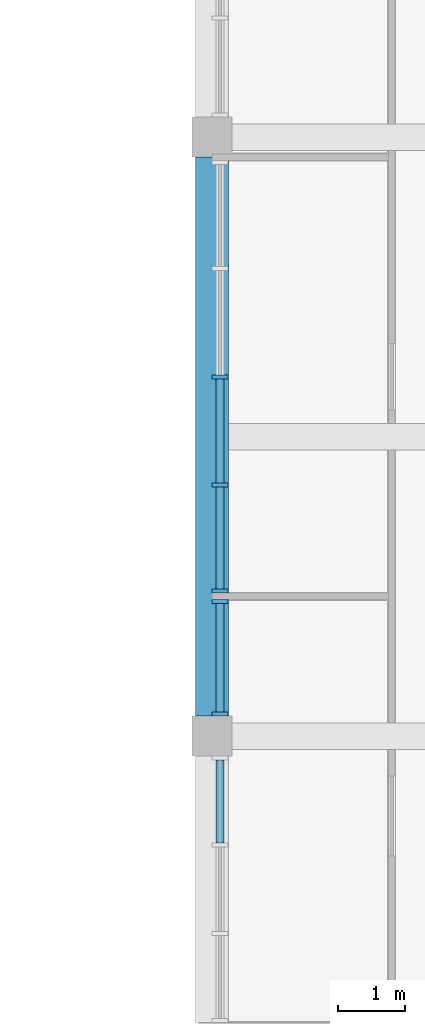
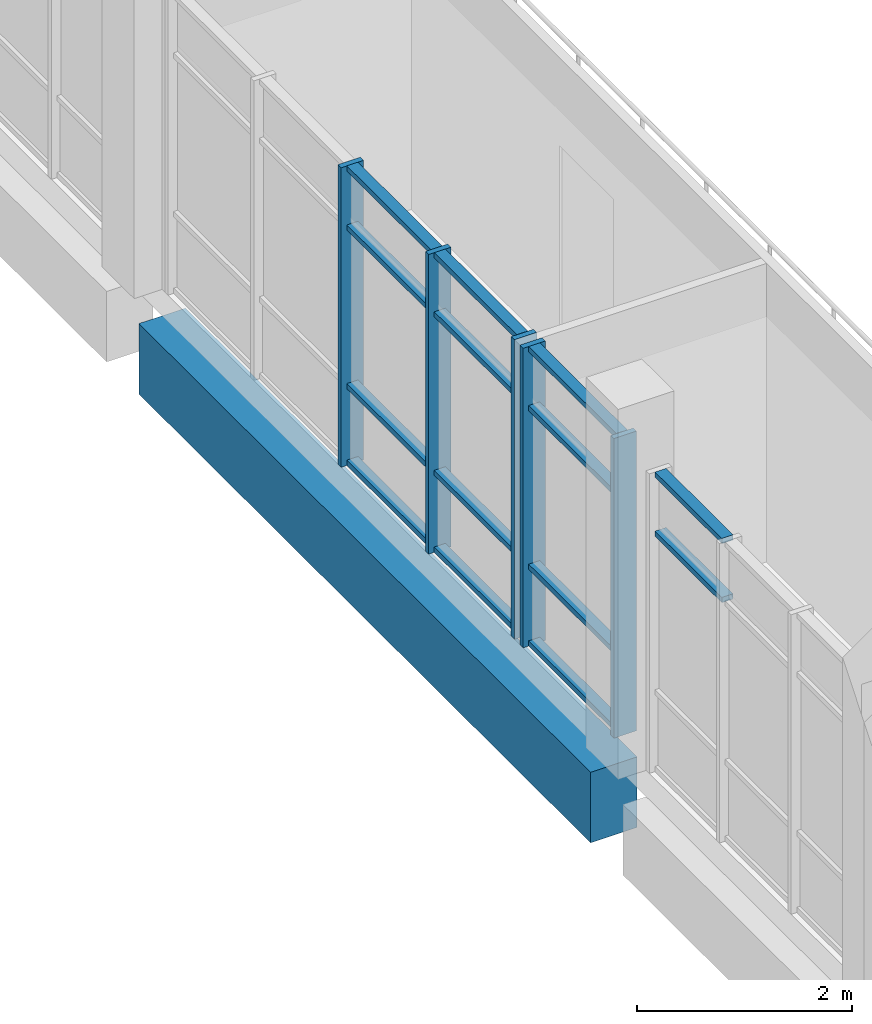
# One storey, part 5 of 88: 19 members, 1 beam, 3 elements without a shape of their own.
"""IFC4 building model written with IfcOpenShell, lengths in metres."""

from ifc_helpers import new_model, si_unit, direction, frame, origin, origin_2d, place, context, subcontext, project, spatial, rectangle, extrude, material, material_profile, profile_set, type_object, element, aggregate, save


model = new_model("IFC4")

# Units and contexts
model_context = context("Model", 3, precision=1e-05, world=origin(), true_north=direction((0.0, 1.0)))
body_context = subcontext(model_context, "Body", "Model", "MODEL_VIEW")
ifc_project = project(units=[si_unit("LENGTHUNIT", "METRE"), si_unit("AREAUNIT", "SQUARE_METRE"), si_unit("VOLUMEUNIT", "CUBIC_METRE"), si_unit("PLANEANGLEUNIT", "RADIAN"), si_unit("MASSUNIT", "GRAM", prefix="KILO")], contexts=[model_context])

# Site, building, storey
site_placement = place(None, origin())
site = spatial("IfcSite", under=ifc_project, at=site_placement, CompositionType="ELEMENT")
building_placement = place(site_placement, origin())
building = spatial("IfcBuilding", under=site, at=building_placement, Name="Merrow Basin Faculty of Sciences", CompositionType="ELEMENT")
storey_placement = place(building_placement, frame((0.0, 0.0, 9.0)))
storey = spatial("IfcBuildingStorey", under=building, at=storey_placement, Name="L02", CompositionType="ELEMENT", Elevation=9.0)

# Curtain wall, members
ifc_material_1 = material(Name="Aluminium alloy 6063", Category="aluminium")
curtain_wall_type = type_object("IfcCurtainWallType", Name="Atrium unitised curtain wall 240", PredefinedType="NOTDEFINED", material=ifc_material_1)
curtain_wall_1_placement = place(storey_placement, origin())
curtain_wall_1 = element("IfcCurtainWall", 1, at=curtain_wall_1_placement, inside=storey, type_object=curtain_wall_type, Name="W curtain wall L02 2", PredefinedType="NOTDEFINED")
ifc_material_2 = material(Name="Aluminium alloy 6063", Category="aluminium")
ifc_material_profile_1 = material_profile(ifc_material_2, rectangle(XDim=0.239990234375, YDim=0.06005859375, at=origin_2d()))
ifc_profile_set_1 = profile_set([ifc_material_profile_1], Name="Aluminium alloy 6063")
member_type_1 = type_object("IfcMemberType", Name="Aluminium mullion 60x240", PredefinedType="MULLION", material=ifc_profile_set_1)
member_1_placement = place(storey_placement, frame((45.1201171875, 18.330078125, 0.0), z_axis=(0.0, 0.0, 1.0), x_axis=(-1.0, 0.0, 0.0)))
member_1 = element("IfcMember", 2, at=member_1_placement, type_object=member_type_1, Name="CW5 mullion 1", PredefinedType="MULLION", context=body_context, shape_type="SweptSolid", body=[
    extrude(rectangle(XDim=0.239990234375, YDim=0.06005859375, at=origin_2d()), origin(), (0.0, 0.0, 1.0), 3.39990234375),
])
member_2_placement = place(storey_placement, frame((45.1201171875, 20.02001953125, 0.0), z_axis=(0.0, 0.0, 1.0), x_axis=(-1.0, 0.0, 0.0)))
member_2 = element("IfcMember", 3, at=member_2_placement, type_object=member_type_1, Name="CW5 mullion 2", PredefinedType="MULLION", context=body_context, shape_type="SweptSolid", body=[
    extrude(rectangle(XDim=0.239990234375, YDim=0.06005859375, at=origin_2d()), origin(), (0.0, 0.0, 1.0), 3.39990234375),
])

curtain_wall_2_placement = place(storey_placement, origin())
curtain_wall_2 = element("IfcCurtainWall", 4, at=curtain_wall_2_placement, inside=storey, type_object=curtain_wall_type, Name="W curtain wall L02 3", PredefinedType="NOTDEFINED")
member_3_placement = place(storey_placement, frame((45.1201171875, 20.179931640625, 0.0), z_axis=(0.0, 0.0, 1.0), x_axis=(-1.0, 0.0, 0.0)))
member_3 = element("IfcMember", 5, at=member_3_placement, type_object=member_type_1, Name="CW5 mullion 1", PredefinedType="MULLION", context=body_context, shape_type="SweptSolid", body=[
    extrude(rectangle(XDim=0.239990234375, YDim=0.06005859375, at=origin_2d()), origin(), (0.0, 0.0, 1.0), 3.39990234375),
])
member_4_placement = place(storey_placement, frame((45.1201171875, 21.77490234375, 0.0), z_axis=(0.0, 0.0, 1.0), x_axis=(-1.0, 0.0, 0.0)))
member_4 = element("IfcMember", 6, at=member_4_placement, type_object=member_type_1, Name="CW5 mullion 2", PredefinedType="MULLION", context=body_context, shape_type="SweptSolid", body=[
    extrude(rectangle(XDim=0.239990234375, YDim=0.06005859375, at=origin_2d()), origin(), (0.0, 0.0, 1.0), 3.39990234375),
])
member_5_placement = place(storey_placement, frame((45.1201171875, 23.39990234375, 0.0), z_axis=(0.0, 0.0, 1.0), x_axis=(-1.0, 0.0, 0.0)))
member_5 = element("IfcMember", 7, at=member_5_placement, type_object=member_type_1, Name="CW5 mullion 3", PredefinedType="MULLION", context=body_context, shape_type="SweptSolid", body=[
    extrude(rectangle(XDim=0.239990234375, YDim=0.06005859375, at=origin_2d()), origin(), (0.0, 0.0, 1.0), 3.39990234375),
])

curtain_wall_3_placement = place(storey_placement, origin())
curtain_wall_3 = element("IfcCurtainWall", 8, at=curtain_wall_3_placement, inside=storey, type_object=curtain_wall_type, Name="W curtain wall L02 1", PredefinedType="NOTDEFINED")
ifc_material_3 = material(Name="Aluminium alloy 6063", Category="aluminium")
ifc_material_profile_2 = material_profile(ifc_material_3, rectangle(XDim=0.1201171875, YDim=0.06005859375, at=origin_2d()))
ifc_profile_set_2 = profile_set([ifc_material_profile_2], Name="Aluminium alloy 6063")
member_type_2 = type_object("IfcMemberType", Name="Aluminium transom 60x120", PredefinedType="USERDEFINED", material=ifc_profile_set_2)
member_6_placement = place(storey_placement, frame((45.1201171875, 16.396728515625, 2.699951171875), z_axis=(0.0, 1.0, 0.0), x_axis=(-1.0, 0.0, 0.0)))
member_6 = element("IfcMember", 9, at=member_6_placement, type_object=member_type_2, Name="CW5 transom 3.3", ObjectType="TRANSOM", PredefinedType="USERDEFINED", context=body_context, shape_type="SweptSolid", body=[
    extrude(rectangle(XDim=0.1201171875, YDim=0.06005859375, at=origin_2d()), origin(), (0.0, 0.0, 1.0), 1.2431640625),
])
member_7_placement = place(storey_placement, frame((45.1201171875, 16.396728515625, 3.3701171875), z_axis=(0.0, 1.0, 0.0), x_axis=(-1.0, 0.0, 0.0)))
member_7 = element("IfcMember", 10, at=member_7_placement, type_object=member_type_2, Name="CW5 transom 3.4", ObjectType="TRANSOM", PredefinedType="USERDEFINED", context=body_context, shape_type="SweptSolid", body=[
    extrude(rectangle(XDim=0.1201171875, YDim=0.06005859375, at=origin_2d()), origin(), (0.0, 0.0, 1.0), 1.2431640625),
])
aggregate(curtain_wall_3, [member_6, member_7])

# Member
member_8_placement = place(storey_placement, frame((45.1201171875, 18.360107421875, 0.030029296875), z_axis=(0.0, 1.0, 0.0), x_axis=(-1.0, 0.0, 0.0)))
member_8 = element("IfcMember", 11, at=member_8_placement, type_object=member_type_2, Name="CW5 transom 1.1", ObjectType="TRANSOM", PredefinedType="USERDEFINED", context=body_context, shape_type="SweptSolid", body=[
    extrude(rectangle(XDim=0.1201171875, YDim=0.06005859375, at=origin_2d()), origin(), (0.0, 0.0, 1.0), 1.6298828125),
])

member_9_placement = place(storey_placement, frame((45.1201171875, 18.360107421875, 0.89990234375), z_axis=(0.0, 1.0, 0.0), x_axis=(-1.0, 0.0, 0.0)))
member_9 = element("IfcMember", 12, at=member_9_placement, type_object=member_type_2, Name="CW5 transom 1.2", ObjectType="TRANSOM", PredefinedType="USERDEFINED", context=body_context, shape_type="SweptSolid", body=[
    extrude(rectangle(XDim=0.1201171875, YDim=0.06005859375, at=origin_2d()), origin(), (0.0, 0.0, 1.0), 1.6298828125),
])

member_10_placement = place(storey_placement, frame((45.1201171875, 18.360107421875, 2.699951171875), z_axis=(0.0, 1.0, 0.0), x_axis=(-1.0, 0.0, 0.0)))
member_10 = element("IfcMember", 13, at=member_10_placement, type_object=member_type_2, Name="CW5 transom 1.3", ObjectType="TRANSOM", PredefinedType="USERDEFINED", context=body_context, shape_type="SweptSolid", body=[
    extrude(rectangle(XDim=0.1201171875, YDim=0.06005859375, at=origin_2d()), origin(), (0.0, 0.0, 1.0), 1.6298828125),
])

member_11_placement = place(storey_placement, frame((45.1201171875, 18.360107421875, 3.3701171875), z_axis=(0.0, 1.0, 0.0), x_axis=(-1.0, 0.0, 0.0)))
member_11 = element("IfcMember", 14, at=member_11_placement, type_object=member_type_2, Name="CW5 transom 1.4", ObjectType="TRANSOM", PredefinedType="USERDEFINED", context=body_context, shape_type="SweptSolid", body=[
    extrude(rectangle(XDim=0.1201171875, YDim=0.06005859375, at=origin_2d()), origin(), (0.0, 0.0, 1.0), 1.6298828125),
])

aggregate(curtain_wall_1, [member_1, member_2, member_8, member_9, member_10, member_11])

member_12_placement = place(storey_placement, frame((45.1201171875, 20.2099609375, 0.030029296875), z_axis=(0.0, 1.0, 0.0), x_axis=(-1.0, 0.0, 0.0)))
member_12 = element("IfcMember", 15, at=member_12_placement, type_object=member_type_2, Name="CW5 transom 1.1", ObjectType="TRANSOM", PredefinedType="USERDEFINED", context=body_context, shape_type="SweptSolid", body=[
    extrude(rectangle(XDim=0.1201171875, YDim=0.06005859375, at=origin_2d()), origin(), (0.0, 0.0, 1.0), 1.53515625),
])

member_13_placement = place(storey_placement, frame((45.1201171875, 20.2099609375, 0.89990234375), z_axis=(0.0, 1.0, 0.0), x_axis=(-1.0, 0.0, 0.0)))
member_13 = element("IfcMember", 16, at=member_13_placement, type_object=member_type_2, Name="CW5 transom 1.2", ObjectType="TRANSOM", PredefinedType="USERDEFINED", context=body_context, shape_type="SweptSolid", body=[
    extrude(rectangle(XDim=0.1201171875, YDim=0.06005859375, at=origin_2d()), origin(), (0.0, 0.0, 1.0), 1.53515625),
])

member_14_placement = place(storey_placement, frame((45.1201171875, 20.2099609375, 2.699951171875), z_axis=(0.0, 1.0, 0.0), x_axis=(-1.0, 0.0, 0.0)))
member_14 = element("IfcMember", 17, at=member_14_placement, type_object=member_type_2, Name="CW5 transom 1.3", ObjectType="TRANSOM", PredefinedType="USERDEFINED", context=body_context, shape_type="SweptSolid", body=[
    extrude(rectangle(XDim=0.1201171875, YDim=0.06005859375, at=origin_2d()), origin(), (0.0, 0.0, 1.0), 1.53515625),
])

member_15_placement = place(storey_placement, frame((45.1201171875, 20.2099609375, 3.3701171875), z_axis=(0.0, 1.0, 0.0), x_axis=(-1.0, 0.0, 0.0)))
member_15 = element("IfcMember", 18, at=member_15_placement, type_object=member_type_2, Name="CW5 transom 1.4", ObjectType="TRANSOM", PredefinedType="USERDEFINED", context=body_context, shape_type="SweptSolid", body=[
    extrude(rectangle(XDim=0.1201171875, YDim=0.06005859375, at=origin_2d()), origin(), (0.0, 0.0, 1.0), 1.53515625),
])

member_16_placement = place(storey_placement, frame((45.1201171875, 21.804931640625, 0.030029296875), z_axis=(0.0, 1.0, 0.0), x_axis=(-1.0, 0.0, 0.0)))
member_16 = element("IfcMember", 19, at=member_16_placement, type_object=member_type_2, Name="CW5 transom 2.1", ObjectType="TRANSOM", PredefinedType="USERDEFINED", context=body_context, shape_type="SweptSolid", body=[
    extrude(rectangle(XDim=0.1201171875, YDim=0.06005859375, at=origin_2d()), origin(), (0.0, 0.0, 1.0), 1.565185546875),
])

member_17_placement = place(storey_placement, frame((45.1201171875, 21.804931640625, 0.89990234375), z_axis=(0.0, 1.0, 0.0), x_axis=(-1.0, 0.0, 0.0)))
member_17 = element("IfcMember", 20, at=member_17_placement, type_object=member_type_2, Name="CW5 transom 2.2", ObjectType="TRANSOM", PredefinedType="USERDEFINED", context=body_context, shape_type="SweptSolid", body=[
    extrude(rectangle(XDim=0.1201171875, YDim=0.06005859375, at=origin_2d()), origin(), (0.0, 0.0, 1.0), 1.565185546875),
])

member_18_placement = place(storey_placement, frame((45.1201171875, 21.804931640625, 2.699951171875), z_axis=(0.0, 1.0, 0.0), x_axis=(-1.0, 0.0, 0.0)))
member_18 = element("IfcMember", 21, at=member_18_placement, type_object=member_type_2, Name="CW5 transom 2.3", ObjectType="TRANSOM", PredefinedType="USERDEFINED", context=body_context, shape_type="SweptSolid", body=[
    extrude(rectangle(XDim=0.1201171875, YDim=0.06005859375, at=origin_2d()), origin(), (0.0, 0.0, 1.0), 1.565185546875),
])

member_19_placement = place(storey_placement, frame((45.1201171875, 21.804931640625, 3.3701171875), z_axis=(0.0, 1.0, 0.0), x_axis=(-1.0, 0.0, 0.0)))
member_19 = element("IfcMember", 22, at=member_19_placement, type_object=member_type_2, Name="CW5 transom 2.4", ObjectType="TRANSOM", PredefinedType="USERDEFINED", context=body_context, shape_type="SweptSolid", body=[
    extrude(rectangle(XDim=0.1201171875, YDim=0.06005859375, at=origin_2d()), origin(), (0.0, 0.0, 1.0), 1.565185546875),
])

aggregate(curtain_wall_2, [member_3, member_4, member_5, member_12, member_13, member_14, member_15, member_16, member_17, member_18, member_19])

# Beam
ifc_material_4 = material(Name="Concrete C40/50", Category="concrete")
ifc_material_profile_3 = material_profile(ifc_material_4, rectangle(XDim=0.5, YDim=0.800048828125, at=origin_2d()))
ifc_profile_set_3 = profile_set([ifc_material_profile_3], Name="Concrete C40/50")
beam_type = type_object("IfcBeamType", Name="Beam RC500x800 C40/50", PredefinedType="BEAM", material=ifc_profile_set_3)
beam_placement = place(storey_placement, frame((45.0, 18.300048828125, -0.699951171875), z_axis=(0.0, 1.0, 0.0), x_axis=(-1.0, 0.0, 0.0)))
element("IfcBeam", 23, at=beam_placement, inside=storey, type_object=beam_type, Name="B4 L02 008", PredefinedType="BEAM", context=body_context, shape_type="SweptSolid", body=[
    extrude(rectangle(XDim=0.5, YDim=0.800048828125, at=origin_2d()), origin(), (0.0, 0.0, 1.0), 8.39990234375),
])

save(model, "model.ifc")
